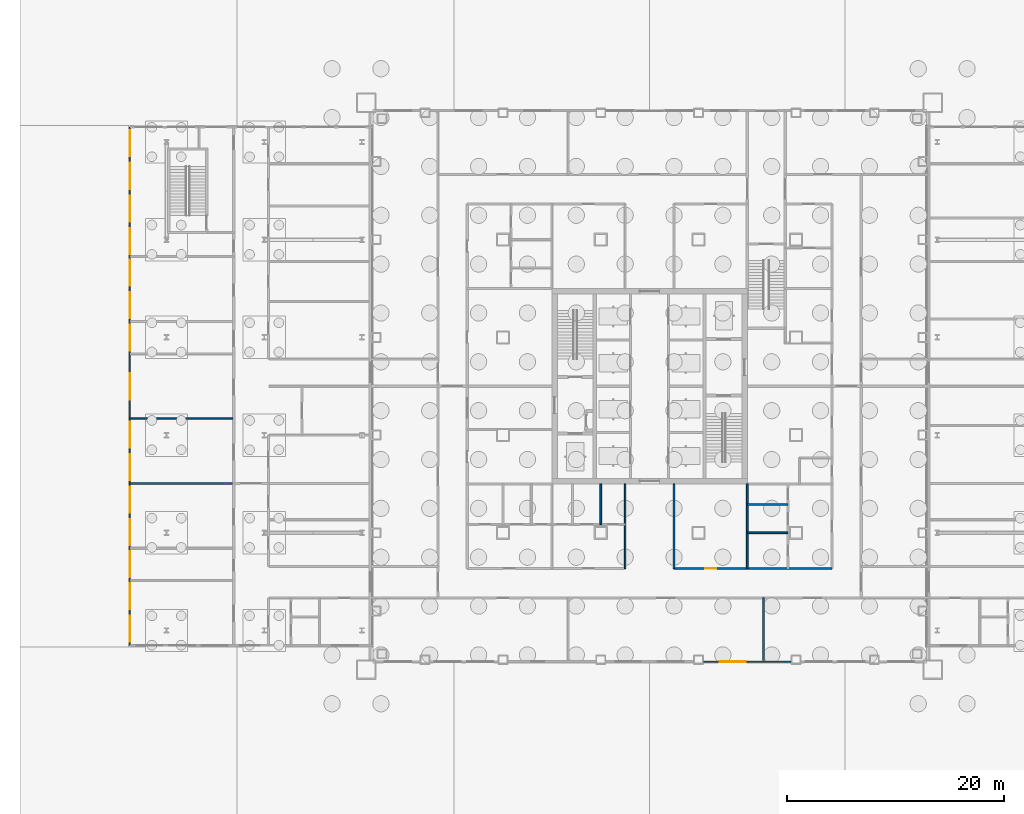
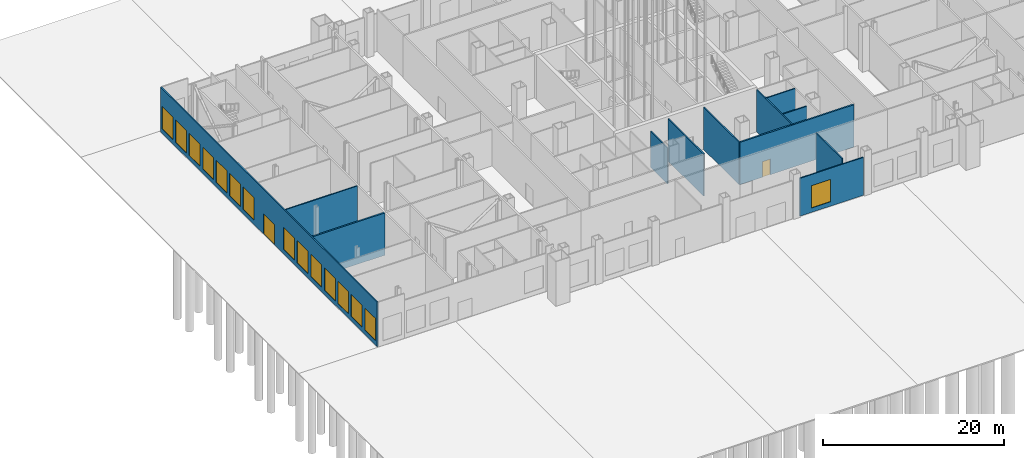
# One storey, part 5 of 36: 15 windows, 12 walls, 2 doors, 17 openings.
"""IFC4 building model written with IfcOpenShell, lengths in metres."""

from ifc_helpers import new_model, si_unit, direction, frame, frame_2d, origin, place, context, subcontext, project, spatial, rectangle, extrude, material, layer, layer_set, type_object, element, fill, save


model = new_model("IFC4")

# Units and contexts
model_context = context("Model", 3, precision=1e-05, world=origin(), true_north=direction((0.0, 1.0)))
body_context = subcontext(model_context, "Body", "Model", "MODEL_VIEW")
ifc_project = project(units=[si_unit("LENGTHUNIT", "METRE"), si_unit("AREAUNIT", "SQUARE_METRE"), si_unit("VOLUMEUNIT", "CUBIC_METRE"), si_unit("PLANEANGLEUNIT", "RADIAN"), si_unit("MASSUNIT", "GRAM", prefix="KILO")], contexts=[model_context])

# Site, building, storey
site_placement = place(None, origin())
site = spatial("IfcSite", under=ifc_project, at=site_placement, CompositionType="ELEMENT")
building_placement = place(site_placement, origin())
building = spatial("IfcBuilding", under=site, at=building_placement, Name="Malebo Sky Hospital", CompositionType="ELEMENT")
storey_placement = place(building_placement, origin())
storey = spatial("IfcBuildingStorey", under=building, at=storey_placement, Name="L00", CompositionType="ELEMENT", Elevation=0.0)

# Wall, opening, door
ifc_material_1 = material(Name="Gypsum board on steel studs", Category="steel")
ifc_layer_1 = layer(ifc_material_1, 0.199951171875)
ifc_layer_set_1 = layer_set([ifc_layer_1], Name="CORRIDOR WALL 200")
wall_type_1 = type_object("IfcWallType", Name="CORRIDOR WALL 200", PredefinedType="PARTITIONING", material=ifc_layer_set_1)
wall_1_placement = place(storey_placement, frame((76.800048828125, 45.199951171875, 0.0), z_axis=(0.0, 0.0, 1.0), x_axis=(-1.0, 0.0, 0.0)))
wall_1 = element("IfcWall", 1, at=wall_1_placement, inside=storey, type_object=wall_type_1, Name="Corridor Wall 200 SCI1", PredefinedType="PARTITIONING", context=body_context, shape_type="SweptSolid", body=[
    extrude(rectangle(XDim=14.550048828125, YDim=0.199951171875, at=frame_2d((7.27490234375, 0.0))), origin(), (0.0, 0.0, 1.0), 5.699951171875),
])
opening_1_placement = place(wall_1_placement, frame((10.675048828125, 0.0, 0.0)))
opening_1 = element("IfcOpeningElement", 2, at=opening_1_placement, cuts=wall_1, Name="Opening D03", PredefinedType="OPENING", context=body_context, shape_type="SweptSolid", body=[
    extrude(rectangle(XDim=1.0, YDim=2.10009765625, at=frame_2d((0.5, 1.050048828125))), frame((0.0, 0.10986328125, 0.0), z_axis=(0.0, -1.0, 0.0), x_axis=(1.0, 0.0, 0.0)), (0.0, 0.0, 1.0), 0.219970703125),
])
ifc_material_2 = material(Name="Hardwood-faced door leaf in steel frame", Category="steel")
door_type_1 = type_object("IfcDoorType", Name="ROOM DOOR 1000", OperationType="SINGLE_SWING_LEFT", PredefinedType="DOOR", material=ifc_material_2)
door_1_placement = place(opening_1_placement, origin())
door_1 = element("IfcDoor", 3, at=door_1_placement, inside=storey, type_object=door_type_1, Name="Volunteer office door", OperationType="SINGLE_SWING_LEFT", OverallHeight=2.10009765625, OverallWidth=1.0, PredefinedType="DOOR", context=body_context, shape_type="SweptSolid", body=[
    extrude(rectangle(XDim=1.0, YDim=2.10009765625, at=frame_2d((0.5, 1.050048828125))), frame((0.0, 0.02490234375, 0.0), z_axis=(0.0, -1.0, 0.0), x_axis=(1.0, 0.0, 0.0)), (0.0, 0.0, 1.0), 0.050048828125),
])
fill(opening_1, door_1)

# Wall, openings, door, windows
ifc_material_3 = material(Name="Anodised aluminium, natural silver framed screen", Category="aluminium")
ifc_layer_2 = layer(ifc_material_3, 0.14990234375)
ifc_layer_set_2 = layer_set([ifc_layer_2], Name="GLAZED ENTRANCE SCREEN 150")
wall_type_2 = type_object("IfcWallType", Name="GLAZED ENTRANCE SCREEN 150", PredefinedType="STANDARD", material=ifc_layer_set_2)
wall_2_placement = place(storey_placement, frame((12.125, 85.875, 0.0), z_axis=(0.0, 0.0, 1.0), x_axis=(0.0, -1.0, 0.0)))
wall_2 = element("IfcWall", 4, at=wall_2_placement, inside=storey, type_object=wall_type_2, Name="Glazed entrance screen WW", PredefinedType="STANDARD", context=body_context, shape_type="SweptSolid", body=[
    extrude(rectangle(XDim=47.75, YDim=0.14990234375, at=frame_2d((23.875, 0.0))), origin(), (0.0, 0.0, 1.0), 6.0),
])
opening_2_placement = place(wall_2_placement, frame((22.699951171875, 0.0, 0.0)))
opening_2 = element("IfcOpeningElement", 5, at=opening_2_placement, cuts=wall_2, Name="Opening D11", PredefinedType="OPENING", context=body_context, shape_type="SweptSolid", body=[
    extrude(rectangle(XDim=2.39990234375, YDim=2.699951171875, at=frame_2d((1.199951171875, 1.35009765625))), frame((0.0, 0.0849609375, 0.0), z_axis=(0.0, -1.0, 0.0), x_axis=(1.0, 0.0, 0.0)), (0.0, 0.0, 1.0), 0.169921875),
])
opening_3_placement = place(wall_2_placement, frame((0.30615234375, 0.0, 0.60009765625)))
opening_3 = element("IfcOpeningElement", 6, at=opening_3_placement, cuts=wall_2, Name="Opening W01", PredefinedType="OPENING", context=body_context, shape_type="SweptSolid", body=[
    extrude(rectangle(XDim=2.39990234375, YDim=3.0, at=frame_2d((1.199951171875, 1.5))), frame((0.0, 0.0849609375, 0.0), z_axis=(0.0, -1.0, 0.0), x_axis=(1.0, 0.0, 0.0)), (0.0, 0.0, 1.0), 0.169921875),
])
opening_4_placement = place(wall_2_placement, frame((3.30615234375, 0.0, 0.60009765625)))
opening_4 = element("IfcOpeningElement", 7, at=opening_4_placement, cuts=wall_2, Name="Opening W01", PredefinedType="OPENING", context=body_context, shape_type="SweptSolid", body=[
    extrude(rectangle(XDim=2.39990234375, YDim=3.0, at=frame_2d((1.199951171875, 1.5))), frame((0.0, 0.0849609375, 0.0), z_axis=(0.0, -1.0, 0.0), x_axis=(1.0, 0.0, 0.0)), (0.0, 0.0, 1.0), 0.169921875),
])
opening_5_placement = place(wall_2_placement, frame((6.30615234375, 0.0, 0.60009765625)))
opening_5 = element("IfcOpeningElement", 8, at=opening_5_placement, cuts=wall_2, Name="Opening W01", PredefinedType="OPENING", context=body_context, shape_type="SweptSolid", body=[
    extrude(rectangle(XDim=2.39990234375, YDim=3.0, at=frame_2d((1.199951171875, 1.5))), frame((0.0, 0.0849609375, 0.0), z_axis=(0.0, -1.0, 0.0), x_axis=(1.0, 0.0, 0.0)), (0.0, 0.0, 1.0), 0.169921875),
])
opening_6_placement = place(wall_2_placement, frame((9.306396484375, 0.0, 0.60009765625)))
opening_6 = element("IfcOpeningElement", 9, at=opening_6_placement, cuts=wall_2, Name="Opening W01", PredefinedType="OPENING", context=body_context, shape_type="SweptSolid", body=[
    extrude(rectangle(XDim=2.39990234375, YDim=3.0, at=frame_2d((1.199951171875, 1.5))), frame((0.0, 0.0849609375, 0.0), z_axis=(0.0, -1.0, 0.0), x_axis=(1.0, 0.0, 0.0)), (0.0, 0.0, 1.0), 0.169921875),
])
opening_7_placement = place(wall_2_placement, frame((12.2216796875, 0.0, 0.60009765625)))
opening_7 = element("IfcOpeningElement", 10, at=opening_7_placement, cuts=wall_2, Name="Opening W01", PredefinedType="OPENING", context=body_context, shape_type="SweptSolid", body=[
    extrude(rectangle(XDim=2.39990234375, YDim=3.0, at=frame_2d((1.199951171875, 1.5))), frame((0.0, 0.0849609375, 0.0), z_axis=(0.0, -1.0, 0.0), x_axis=(1.0, 0.0, 0.0)), (0.0, 0.0, 1.0), 0.169921875),
])
opening_8_placement = place(wall_2_placement, frame((15.2216796875, 0.0, 0.60009765625)))
opening_8 = element("IfcOpeningElement", 11, at=opening_8_placement, cuts=wall_2, Name="Opening W01", PredefinedType="OPENING", context=body_context, shape_type="SweptSolid", body=[
    extrude(rectangle(XDim=2.39990234375, YDim=3.0, at=frame_2d((1.199951171875, 1.5))), frame((0.0, 0.0849609375, 0.0), z_axis=(0.0, -1.0, 0.0), x_axis=(1.0, 0.0, 0.0)), (0.0, 0.0, 1.0), 0.169921875),
])
opening_9_placement = place(wall_2_placement, frame((18.198486328125, 0.0, 0.60009765625)))
opening_9 = element("IfcOpeningElement", 12, at=opening_9_placement, cuts=wall_2, Name="Opening W01", PredefinedType="OPENING", context=body_context, shape_type="SweptSolid", body=[
    extrude(rectangle(XDim=2.39990234375, YDim=3.0, at=frame_2d((1.199951171875, 1.5))), frame((0.0, 0.0849609375, 0.0), z_axis=(0.0, -1.0, 0.0), x_axis=(1.0, 0.0, 0.0)), (0.0, 0.0, 1.0), 0.169921875),
])
opening_10_placement = place(wall_2_placement, frame((27.131103515625, 0.0, 0.60009765625)))
opening_10 = element("IfcOpeningElement", 13, at=opening_10_placement, cuts=wall_2, Name="Opening W01", PredefinedType="OPENING", context=body_context, shape_type="SweptSolid", body=[
    extrude(rectangle(XDim=2.39990234375, YDim=3.0, at=frame_2d((1.199951171875, 1.5))), frame((0.0, 0.0849609375, 0.0), z_axis=(0.0, -1.0, 0.0), x_axis=(1.0, 0.0, 0.0)), (0.0, 0.0, 1.0), 0.169921875),
])
opening_11_placement = place(wall_2_placement, frame((30.131103515625, 0.0, 0.60009765625)))
opening_11 = element("IfcOpeningElement", 14, at=opening_11_placement, cuts=wall_2, Name="Opening W01", PredefinedType="OPENING", context=body_context, shape_type="SweptSolid", body=[
    extrude(rectangle(XDim=2.39990234375, YDim=3.0, at=frame_2d((1.199951171875, 1.5))), frame((0.0, 0.0849609375, 0.0), z_axis=(0.0, -1.0, 0.0), x_axis=(1.0, 0.0, 0.0)), (0.0, 0.0, 1.0), 0.169921875),
])
opening_12_placement = place(wall_2_placement, frame((33.125, 0.0, 0.60009765625)))
opening_12 = element("IfcOpeningElement", 15, at=opening_12_placement, cuts=wall_2, Name="Opening W01", PredefinedType="OPENING", context=body_context, shape_type="SweptSolid", body=[
    extrude(rectangle(XDim=2.39990234375, YDim=3.0, at=frame_2d((1.199951171875, 1.5))), frame((0.0, 0.0849609375, 0.0), z_axis=(0.0, -1.0, 0.0), x_axis=(1.0, 0.0, 0.0)), (0.0, 0.0, 1.0), 0.169921875),
])
opening_13_placement = place(wall_2_placement, frame((36.125, 0.0, 0.60009765625)))
opening_13 = element("IfcOpeningElement", 16, at=opening_13_placement, cuts=wall_2, Name="Opening W01", PredefinedType="OPENING", context=body_context, shape_type="SweptSolid", body=[
    extrude(rectangle(XDim=2.39990234375, YDim=3.0, at=frame_2d((1.199951171875, 1.5))), frame((0.0, 0.0849609375, 0.0), z_axis=(0.0, -1.0, 0.0), x_axis=(1.0, 0.0, 0.0)), (0.0, 0.0, 1.0), 0.169921875),
])
opening_14_placement = place(wall_2_placement, frame((39.089111328125, 0.0, 0.60009765625)))
opening_14 = element("IfcOpeningElement", 17, at=opening_14_placement, cuts=wall_2, Name="Opening W01", PredefinedType="OPENING", context=body_context, shape_type="SweptSolid", body=[
    extrude(rectangle(XDim=2.39990234375, YDim=3.0, at=frame_2d((1.199951171875, 1.5))), frame((0.0, 0.0849609375, 0.0), z_axis=(0.0, -1.0, 0.0), x_axis=(1.0, 0.0, 0.0)), (0.0, 0.0, 1.0), 0.169921875),
])
opening_15_placement = place(wall_2_placement, frame((42.028076171875, 0.0, 0.60009765625)))
opening_15 = element("IfcOpeningElement", 18, at=opening_15_placement, cuts=wall_2, Name="Opening W01", PredefinedType="OPENING", context=body_context, shape_type="SweptSolid", body=[
    extrude(rectangle(XDim=2.39990234375, YDim=3.0, at=frame_2d((1.199951171875, 1.5))), frame((0.0, 0.0849609375, 0.0), z_axis=(0.0, -1.0, 0.0), x_axis=(1.0, 0.0, 0.0)), (0.0, 0.0, 1.0), 0.169921875),
])
opening_16_placement = place(wall_2_placement, frame((45.028076171875, 0.0, 0.60009765625)))
opening_16 = element("IfcOpeningElement", 19, at=opening_16_placement, cuts=wall_2, Name="Opening W01", PredefinedType="OPENING", context=body_context, shape_type="SweptSolid", body=[
    extrude(rectangle(XDim=2.39990234375, YDim=3.0, at=frame_2d((1.199951171875, 1.5))), frame((0.0, 0.0849609375, 0.0), z_axis=(0.0, -1.0, 0.0), x_axis=(1.0, 0.0, 0.0)), (0.0, 0.0, 1.0), 0.169921875),
])
ifc_material_4 = material(Name="Anodised aluminium, natural silver framed glazed door", Category="aluminium")
door_type_2 = type_object("IfcDoorType", Name="AMBULANCE ENTRANCE DOOR 2400", OperationType="DOUBLE_DOOR_SLIDING", PredefinedType="DOOR", material=ifc_material_4)
door_2_placement = place(opening_2_placement, origin())
door_2 = element("IfcDoor", 20, at=door_2_placement, inside=storey, type_object=door_type_2, Name="Emergency ambulance entrance", OperationType="DOUBLE_DOOR_SLIDING", OverallHeight=2.699951171875, OverallWidth=2.39990234375, PredefinedType="DOOR", context=body_context, shape_type="SweptSolid", body=[
    extrude(rectangle(XDim=2.39990234375, YDim=2.699951171875, at=frame_2d((1.199951171875, 1.35009765625))), frame((0.0, 0.02490234375, 0.0), z_axis=(0.0, -1.0, 0.0), x_axis=(1.0, 0.0, 0.0)), (0.0, 0.0, 1.0), 0.050048828125),
])
fill(opening_2, door_2)
ifc_material_5 = material(Name="Clear low-iron double glazing", Category="glass")
window_type = type_object("IfcWindowType", Name="SCREEN GLAZING 2400x3000", PartitioningType="SINGLE_PANEL", PredefinedType="WINDOW", material=ifc_material_5)
window_1_placement = place(opening_3_placement, origin())
window_1 = element("IfcWindow", 21, at=window_1_placement, inside=storey, type_object=window_type, Name="Screen glazing 1", OverallHeight=3.0, OverallWidth=2.39990234375, PartitioningType="SINGLE_PANEL", PredefinedType="WINDOW", context=body_context, shape_type="SweptSolid", body=[
    extrude(rectangle(XDim=2.39990234375, YDim=3.0, at=frame_2d((1.199951171875, 1.5))), frame((0.0, 0.030029296875, 0.0), z_axis=(0.0, -1.0, 0.0), x_axis=(1.0, 0.0, 0.0)), (0.0, 0.0, 1.0), 0.06005859375),
])
fill(opening_3, window_1)
window_2_placement = place(opening_4_placement, origin())
window_2 = element("IfcWindow", 22, at=window_2_placement, inside=storey, type_object=window_type, Name="Screen glazing 2", OverallHeight=3.0, OverallWidth=2.39990234375, PartitioningType="SINGLE_PANEL", PredefinedType="WINDOW", context=body_context, shape_type="SweptSolid", body=[
    extrude(rectangle(XDim=2.39990234375, YDim=3.0, at=frame_2d((1.199951171875, 1.5))), frame((0.0, 0.030029296875, 0.0), z_axis=(0.0, -1.0, 0.0), x_axis=(1.0, 0.0, 0.0)), (0.0, 0.0, 1.0), 0.06005859375),
])
fill(opening_4, window_2)
window_3_placement = place(opening_5_placement, origin())
window_3 = element("IfcWindow", 23, at=window_3_placement, inside=storey, type_object=window_type, Name="Screen glazing 3", OverallHeight=3.0, OverallWidth=2.39990234375, PartitioningType="SINGLE_PANEL", PredefinedType="WINDOW", context=body_context, shape_type="SweptSolid", body=[
    extrude(rectangle(XDim=2.39990234375, YDim=3.0, at=frame_2d((1.199951171875, 1.5))), frame((0.0, 0.030029296875, 0.0), z_axis=(0.0, -1.0, 0.0), x_axis=(1.0, 0.0, 0.0)), (0.0, 0.0, 1.0), 0.06005859375),
])
fill(opening_5, window_3)
window_4_placement = place(opening_6_placement, origin())
window_4 = element("IfcWindow", 24, at=window_4_placement, inside=storey, type_object=window_type, Name="Screen glazing 4", OverallHeight=3.0, OverallWidth=2.39990234375, PartitioningType="SINGLE_PANEL", PredefinedType="WINDOW", context=body_context, shape_type="SweptSolid", body=[
    extrude(rectangle(XDim=2.39990234375, YDim=3.0, at=frame_2d((1.199951171875, 1.5))), frame((0.0, 0.030029296875, 0.0), z_axis=(0.0, -1.0, 0.0), x_axis=(1.0, 0.0, 0.0)), (0.0, 0.0, 1.0), 0.06005859375),
])
fill(opening_6, window_4)
window_5_placement = place(opening_7_placement, origin())
window_5 = element("IfcWindow", 25, at=window_5_placement, inside=storey, type_object=window_type, Name="Screen glazing 5", OverallHeight=3.0, OverallWidth=2.39990234375, PartitioningType="SINGLE_PANEL", PredefinedType="WINDOW", context=body_context, shape_type="SweptSolid", body=[
    extrude(rectangle(XDim=2.39990234375, YDim=3.0, at=frame_2d((1.199951171875, 1.5))), frame((0.0, 0.030029296875, 0.0), z_axis=(0.0, -1.0, 0.0), x_axis=(1.0, 0.0, 0.0)), (0.0, 0.0, 1.0), 0.06005859375),
])
fill(opening_7, window_5)
window_6_placement = place(opening_8_placement, origin())
window_6 = element("IfcWindow", 26, at=window_6_placement, inside=storey, type_object=window_type, Name="Screen glazing 6", OverallHeight=3.0, OverallWidth=2.39990234375, PartitioningType="SINGLE_PANEL", PredefinedType="WINDOW", context=body_context, shape_type="SweptSolid", body=[
    extrude(rectangle(XDim=2.39990234375, YDim=3.0, at=frame_2d((1.199951171875, 1.5))), frame((0.0, 0.030029296875, 0.0), z_axis=(0.0, -1.0, 0.0), x_axis=(1.0, 0.0, 0.0)), (0.0, 0.0, 1.0), 0.06005859375),
])
fill(opening_8, window_6)
window_7_placement = place(opening_9_placement, origin())
window_7 = element("IfcWindow", 27, at=window_7_placement, inside=storey, type_object=window_type, Name="Screen glazing 7", OverallHeight=3.0, OverallWidth=2.39990234375, PartitioningType="SINGLE_PANEL", PredefinedType="WINDOW", context=body_context, shape_type="SweptSolid", body=[
    extrude(rectangle(XDim=2.39990234375, YDim=3.0, at=frame_2d((1.199951171875, 1.5))), frame((0.0, 0.030029296875, 0.0), z_axis=(0.0, -1.0, 0.0), x_axis=(1.0, 0.0, 0.0)), (0.0, 0.0, 1.0), 0.06005859375),
])
fill(opening_9, window_7)
window_8_placement = place(opening_10_placement, origin())
window_8 = element("IfcWindow", 28, at=window_8_placement, inside=storey, type_object=window_type, Name="Screen glazing 8", OverallHeight=3.0, OverallWidth=2.39990234375, PartitioningType="SINGLE_PANEL", PredefinedType="WINDOW", context=body_context, shape_type="SweptSolid", body=[
    extrude(rectangle(XDim=2.39990234375, YDim=3.0, at=frame_2d((1.199951171875, 1.5))), frame((0.0, 0.030029296875, 0.0), z_axis=(0.0, -1.0, 0.0), x_axis=(1.0, 0.0, 0.0)), (0.0, 0.0, 1.0), 0.06005859375),
])
fill(opening_10, window_8)
window_9_placement = place(opening_11_placement, origin())
window_9 = element("IfcWindow", 29, at=window_9_placement, inside=storey, type_object=window_type, Name="Screen glazing 9", OverallHeight=3.0, OverallWidth=2.39990234375, PartitioningType="SINGLE_PANEL", PredefinedType="WINDOW", context=body_context, shape_type="SweptSolid", body=[
    extrude(rectangle(XDim=2.39990234375, YDim=3.0, at=frame_2d((1.199951171875, 1.5))), frame((0.0, 0.030029296875, 0.0), z_axis=(0.0, -1.0, 0.0), x_axis=(1.0, 0.0, 0.0)), (0.0, 0.0, 1.0), 0.06005859375),
])
fill(opening_11, window_9)
window_10_placement = place(opening_12_placement, origin())
window_10 = element("IfcWindow", 30, at=window_10_placement, inside=storey, type_object=window_type, Name="Screen glazing 10", OverallHeight=3.0, OverallWidth=2.39990234375, PartitioningType="SINGLE_PANEL", PredefinedType="WINDOW", context=body_context, shape_type="SweptSolid", body=[
    extrude(rectangle(XDim=2.39990234375, YDim=3.0, at=frame_2d((1.199951171875, 1.5))), frame((0.0, 0.030029296875, 0.0), z_axis=(0.0, -1.0, 0.0), x_axis=(1.0, 0.0, 0.0)), (0.0, 0.0, 1.0), 0.06005859375),
])
fill(opening_12, window_10)
window_11_placement = place(opening_13_placement, origin())
window_11 = element("IfcWindow", 31, at=window_11_placement, inside=storey, type_object=window_type, Name="Screen glazing 11", OverallHeight=3.0, OverallWidth=2.39990234375, PartitioningType="SINGLE_PANEL", PredefinedType="WINDOW", context=body_context, shape_type="SweptSolid", body=[
    extrude(rectangle(XDim=2.39990234375, YDim=3.0, at=frame_2d((1.199951171875, 1.5))), frame((0.0, 0.030029296875, 0.0), z_axis=(0.0, -1.0, 0.0), x_axis=(1.0, 0.0, 0.0)), (0.0, 0.0, 1.0), 0.06005859375),
])
fill(opening_13, window_11)
window_12_placement = place(opening_14_placement, origin())
window_12 = element("IfcWindow", 32, at=window_12_placement, inside=storey, type_object=window_type, Name="Screen glazing 12", OverallHeight=3.0, OverallWidth=2.39990234375, PartitioningType="SINGLE_PANEL", PredefinedType="WINDOW", context=body_context, shape_type="SweptSolid", body=[
    extrude(rectangle(XDim=2.39990234375, YDim=3.0, at=frame_2d((1.199951171875, 1.5))), frame((0.0, 0.030029296875, 0.0), z_axis=(0.0, -1.0, 0.0), x_axis=(1.0, 0.0, 0.0)), (0.0, 0.0, 1.0), 0.06005859375),
])
fill(opening_14, window_12)
window_13_placement = place(opening_15_placement, origin())
window_13 = element("IfcWindow", 33, at=window_13_placement, inside=storey, type_object=window_type, Name="Screen glazing 13", OverallHeight=3.0, OverallWidth=2.39990234375, PartitioningType="SINGLE_PANEL", PredefinedType="WINDOW", context=body_context, shape_type="SweptSolid", body=[
    extrude(rectangle(XDim=2.39990234375, YDim=3.0, at=frame_2d((1.199951171875, 1.5))), frame((0.0, 0.030029296875, 0.0), z_axis=(0.0, -1.0, 0.0), x_axis=(1.0, 0.0, 0.0)), (0.0, 0.0, 1.0), 0.06005859375),
])
fill(opening_15, window_13)
window_14_placement = place(opening_16_placement, origin())
window_14 = element("IfcWindow", 34, at=window_14_placement, inside=storey, type_object=window_type, Name="Screen glazing 14", OverallHeight=3.0, OverallWidth=2.39990234375, PartitioningType="SINGLE_PANEL", PredefinedType="WINDOW", context=body_context, shape_type="SweptSolid", body=[
    extrude(rectangle(XDim=2.39990234375, YDim=3.0, at=frame_2d((1.199951171875, 1.5))), frame((0.0, 0.030029296875, 0.0), z_axis=(0.0, -1.0, 0.0), x_axis=(1.0, 0.0, 0.0)), (0.0, 0.0, 1.0), 0.06005859375),
])
fill(opening_16, window_14)

# Wall, opening, window
wall_3_placement = place(storey_placement, frame((64.949951171875, 36.625, 0.0), z_axis=(0.0, 0.0, 1.0), x_axis=(1.0, 0.0, 0.0)))
wall_3 = element("IfcWall", 35, at=wall_3_placement, inside=storey, type_object=wall_type_2, Name="Glazed entrance screen BS", PredefinedType="STANDARD", context=body_context, shape_type="SweptSolid", body=[
    extrude(rectangle(XDim=8.10009765625, YDim=0.14990234375, at=frame_2d((4.050048828125, 0.0))), origin(), (0.0, 0.0, 1.0), 5.10009765625),
])
opening_17_placement = place(wall_3_placement, frame((1.512451171875, 0.0, 0.60009765625)))
opening_17 = element("IfcOpeningElement", 36, at=opening_17_placement, cuts=wall_3, Name="Opening W01", PredefinedType="OPENING", context=body_context, shape_type="SweptSolid", body=[
    extrude(rectangle(XDim=2.39990234375, YDim=3.0, at=frame_2d((1.199951171875, 1.5))), frame((0.0, 0.0849609375, 0.0), z_axis=(0.0, -1.0, 0.0), x_axis=(1.0, 0.0, 0.0)), (0.0, 0.0, 1.0), 0.169921875),
])
window_15_placement = place(opening_17_placement, origin())
window_15 = element("IfcWindow", 37, at=window_15_placement, inside=storey, type_object=window_type, Name="Screen glazing 4", OverallHeight=3.0, OverallWidth=2.39990234375, PartitioningType="SINGLE_PANEL", PredefinedType="WINDOW", context=body_context, shape_type="SweptSolid", body=[
    extrude(rectangle(XDim=2.39990234375, YDim=3.0, at=frame_2d((1.199951171875, 1.5))), frame((0.0, 0.030029296875, 0.0), z_axis=(0.0, -1.0, 0.0), x_axis=(1.0, 0.0, 0.0)), (0.0, 0.0, 1.0), 0.06005859375),
])
fill(opening_17, window_15)

# Walls
ifc_layer_3 = layer(ifc_material_1, 0.14990234375)
ifc_layer_set_3 = layer_set([ifc_layer_3], Name="PARTITION 150")
wall_type_3 = type_object("IfcWallType", Name="PARTITION 150", PredefinedType="PARTITIONING", material=ifc_layer_set_3)
wall_4_placement = place(storey_placement, frame((70.5, 42.5, 0.0), z_axis=(0.0, 0.0, 1.0), x_axis=(0.0, -1.0, 0.0)))
element("IfcWall", 38, at=wall_4_placement, inside=storey, type_object=wall_type_3, Name="Partition 150 SP-10.5", PredefinedType="PARTITIONING", context=body_context, shape_type="SweptSolid", body=[
    extrude(rectangle(XDim=5.75, YDim=0.14990234375, at=frame_2d((2.875, 0.0))), origin(), (0.0, 0.0, 1.0), 5.699951171875),
])
for number, where, z_axis, x_axis, name in (
    (39, (69.0, 53.0, 0.0), (0.0, 0.0, 1.0), (0.0, -1.0, 0.0), "Partition 150 SSPM"),
    (40, (62.25, 53.0, 0.0), (0.0, 0.0, 1.0), (0.0, -1.0, 0.0), "Partition 150 SSPA"),
    (41, (57.75, 53.0, 0.0), (0.0, 0.0, 1.0), (0.0, -1.0, 0.0), "Partition 150 SSPB"),
):
    element("IfcWall", number, at=place(storey_placement, frame(where, z_axis=z_axis, x_axis=x_axis)), inside=storey, type_object=wall_type_3, Name=name, PredefinedType="PARTITIONING", context=body_context, shape_type="SweptSolid", body=[
        extrude(rectangle(XDim=7.800048828125, YDim=0.14990234375, at=frame_2d((3.89990234375, 0.0))), origin(), (0.0, 0.0, 1.0), 5.699951171875),
    ])
wall_5_placement = place(storey_placement, frame((55.5, 53.0, 0.0), z_axis=(0.0, 0.0, 1.0), x_axis=(0.0, -1.0, 0.0)))
element("IfcWall", 42, at=wall_5_placement, inside=storey, type_object=wall_type_3, Name="Partition 150 SS1W1", PredefinedType="PARTITIONING", context=body_context, shape_type="SweptSolid", body=[
    extrude(rectangle(XDim=3.75, YDim=0.14990234375, at=frame_2d((1.875, 0.0))), origin(), (0.0, 0.0, 1.0), 4.800048828125),
])
wall_6_placement = place(storey_placement, frame((69.0, 51.10009765625, 0.0), z_axis=(0.0, 0.0, 1.0), x_axis=(1.0, 0.0, 0.0)))
element("IfcWall", 43, at=wall_6_placement, inside=storey, type_object=wall_type_3, Name="Partition 150 ES2W1", PredefinedType="PARTITIONING", context=body_context, shape_type="SweptSolid", body=[
    extrude(rectangle(XDim=3.75, YDim=0.14990234375, at=frame_2d((1.875, 0.0))), origin(), (0.0, 0.0, 1.0), 5.699951171875),
])
wall_7_placement = place(storey_placement, frame((69.0, 48.5, 0.0), z_axis=(0.0, 0.0, 1.0), x_axis=(1.0, 0.0, 0.0)))
element("IfcWall", 44, at=wall_7_placement, inside=storey, type_object=wall_type_3, Name="Partition 150 ES2W2", PredefinedType="PARTITIONING", context=body_context, shape_type="SweptSolid", body=[
    extrude(rectangle(XDim=3.75, YDim=0.14990234375, at=frame_2d((1.875, 0.0))), origin(), (0.0, 0.0, 1.0), 4.89990234375),
])
wall_8_placement = place(storey_placement, frame((12.14990234375, 59.015625, 0.0), z_axis=(0.0, 0.0, 1.0), x_axis=(1.0, 0.0, 0.0)))
element("IfcWall", 45, at=wall_8_placement, inside=storey, type_object=wall_type_3, Name="Partition 150 WOH03", PredefinedType="PARTITIONING", context=body_context, shape_type="SweptSolid", body=[
    extrude(rectangle(XDim=9.443115234375, YDim=0.14990234375, at=frame_2d((4.7216796875, 0.0))), origin(), (0.0, 0.0, 1.0), 5.699951171875),
])
ifc_material_6 = material(Name="Concrete blockwork", Category="masonry")
ifc_layer_4 = layer(ifc_material_6, 0.199951171875)
ifc_layer_set_4 = layer_set([ifc_layer_4], Name="SMOKE BARRIER WALL 200")
wall_type_4 = type_object("IfcWallType", Name="SMOKE BARRIER WALL 200", PredefinedType="SOLIDWALL", material=ifc_layer_set_4)
wall_9_placement = place(storey_placement, frame((12.14990234375, 53.046875, 0.0), z_axis=(0.0, 0.0, 1.0), x_axis=(1.0, 0.0, 0.0)))
element("IfcWall", 46, at=wall_9_placement, inside=storey, type_object=wall_type_4, Name="Smoke Barrier Wall 200 WOH02", PredefinedType="SOLIDWALL", context=body_context, shape_type="SweptSolid", body=[
    extrude(rectangle(XDim=9.443115234375, YDim=0.199951171875, at=frame_2d((4.7216796875, 0.0))), origin(), (0.0, 0.0, 1.0), 5.699951171875),
])

save(model, "model.ifc")
